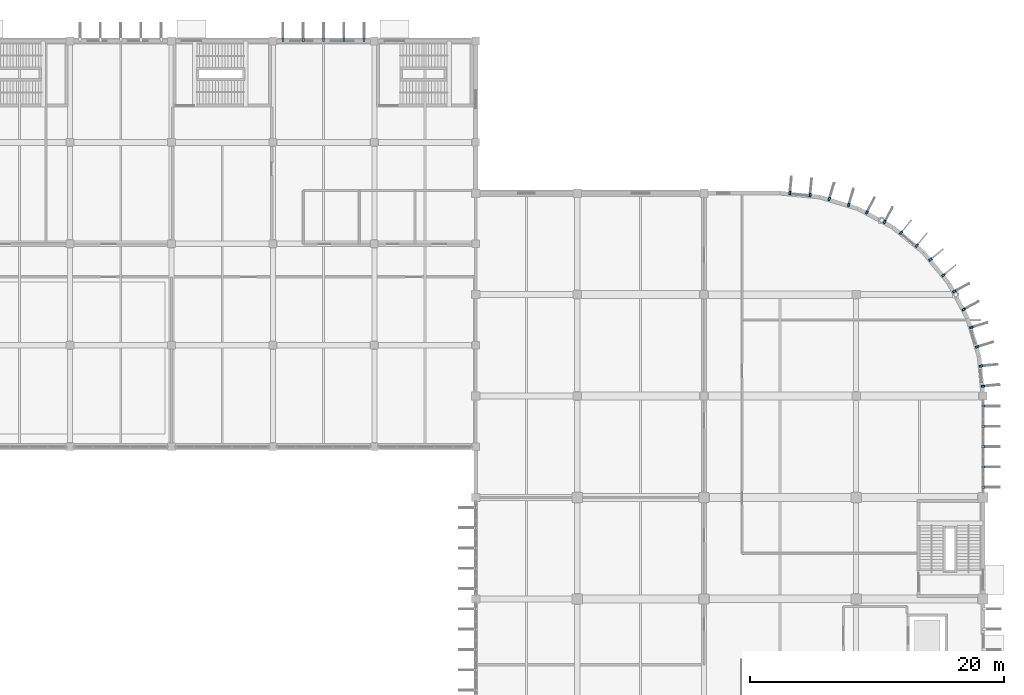
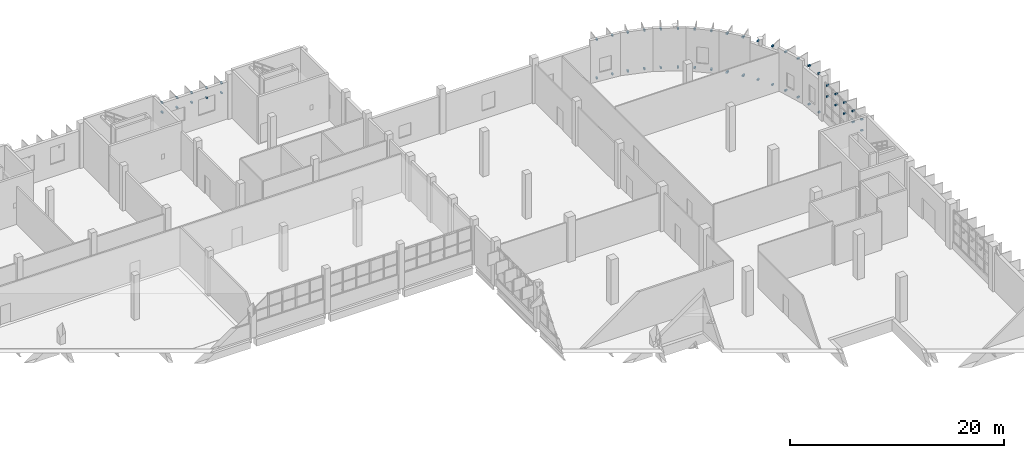
# One storey, part 93 of 103: 52 discrete accessories.
"""IFC4 building model written with IfcOpenShell, lengths in metres."""

from ifc_helpers import new_model, si_unit, direction, frame, origin, origin_2d, place, context, subcontext, project, spatial, rectangle, extrude, material, type_object, element, save


model = new_model("IFC4")

# Units and contexts
model_context = context("Model", 3, precision=1e-05, world=origin(), true_north=direction((0.0, 1.0)))
body_context = subcontext(model_context, "Body", "Model", "MODEL_VIEW")
ifc_project = project(units=[si_unit("LENGTHUNIT", "METRE"), si_unit("AREAUNIT", "SQUARE_METRE"), si_unit("VOLUMEUNIT", "CUBIC_METRE"), si_unit("PLANEANGLEUNIT", "RADIAN"), si_unit("MASSUNIT", "GRAM", prefix="KILO")], contexts=[model_context])

# Site, building, storey
site_placement = place(None, origin())
site = spatial("IfcSite", under=ifc_project, at=site_placement, CompositionType="ELEMENT")
building_placement = place(site_placement, origin())
building = spatial("IfcBuilding", under=site, at=building_placement, Name="Drelvana Railside Aquatics Centre", CompositionType="ELEMENT")
storey_placement = place(building_placement, origin())
storey = spatial("IfcBuildingStorey", under=building, at=storey_placement, Name="L00", CompositionType="ELEMENT", Elevation=0.0)

# Discrete accessories
ifc_material = material(Name="Stainless steel 316 facade bracket", Category="steel")
discrete_accessory_type = type_object("IfcDiscreteAccessoryType", Name="ACC-BRACKET-FIN", PredefinedType="BRACKET", material=ifc_material)
for number, where, z_axis, x_axis, name in (
    (1, (128.800048828125, 116.0849609375, 2.96484375), (0.0, 0.0, 1.0), (0.0, 1.0, 0.0), "Shading fin bracket BK-0985"),
    (2, (128.800048828125, 116.0849609375, 4.0751953125), (0.0, 0.0, 1.0), (0.0, 1.0, 0.0), "Shading fin bracket BK-0986"),
    (3, (130.39990234375, 116.0849609375, 2.96484375), (0.0, 0.0, 1.0), (0.0, 1.0, 0.0), "Shading fin bracket BK-0987"),
    (4, (130.39990234375, 116.0849609375, 4.0751953125), (0.0, 0.0, 1.0), (0.0, 1.0, 0.0), "Shading fin bracket BK-0988"),
    (5, (132.0, 116.0849609375, 2.96484375), (0.0, 0.0, 1.0), (0.0, 1.0, 0.0), "Shading fin bracket BK-0989"),
    (6, (132.0, 116.0849609375, 4.0751953125), (0.0, 0.0, 1.0), (0.0, 1.0, 0.0), "Shading fin bracket BK-0990"),
    (7, (133.60009765625, 116.0849609375, 2.96484375), (0.0, 0.0, 1.0), (0.0, 1.0, 0.0), "Shading fin bracket BK-0991"),
    (8, (133.60009765625, 116.0849609375, 4.0751953125), (0.0, 0.0, 1.0), (0.0, 1.0, 0.0), "Shading fin bracket BK-0992"),
    (9, (135.199951171875, 116.0849609375, 2.96484375), (0.0, 0.0, 1.0), (0.0, 1.0, 0.0), "Shading fin bracket BK-0993"),
    (10, (135.199951171875, 116.0849609375, 4.0751953125), (0.0, 0.0, 1.0), (0.0, 1.0, 0.0), "Shading fin bracket BK-0994"),
    (11, (184.010009765625, 80.800048828125, 2.96484375), (0.0, 0.0, 1.0), (1.0, 0.0, 0.0), "Shading fin bracket BK-1615"),
    (12, (184.010009765625, 80.800048828125, 4.22509765625), (0.0, 0.0, 1.0), (1.0, 0.0, 0.0), "Shading fin bracket BK-1616"),
    (13, (184.010009765625, 82.39990234375, 2.96484375), (0.0, 0.0, 1.0), (1.0, 0.0, 0.0), "Shading fin bracket BK-1617"),
    (14, (184.010009765625, 82.39990234375, 4.22509765625), (0.0, 0.0, 1.0), (1.0, 0.0, 0.0), "Shading fin bracket BK-1618"),
    (15, (184.010009765625, 84.0, 2.96484375), (0.0, 0.0, 1.0), (1.0, 0.0, 0.0), "Shading fin bracket BK-1619"),
    (16, (184.010009765625, 84.0, 4.22509765625), (0.0, 0.0, 1.0), (1.0, 0.0, 0.0), "Shading fin bracket BK-1620"),
    (17, (184.010009765625, 85.60009765625, 2.96484375), (0.0, 0.0, 1.0), (1.0, 0.0, 0.0), "Shading fin bracket BK-1621"),
    (18, (184.010009765625, 85.60009765625, 4.22509765625), (0.0, 0.0, 1.0), (1.0, 0.0, 0.0), "Shading fin bracket BK-1622"),
    (19, (184.010009765625, 87.199951171875, 2.96484375), (0.0, 0.0, 1.0), (1.0, 0.0, 0.0), "Shading fin bracket BK-1623"),
    (20, (184.010009765625, 87.199951171875, 4.22509765625), (0.0, 0.0, 1.0), (1.0, 0.0, 0.0), "Shading fin bracket BK-1624"),
    (21, (183.999267578125, 88.77197265625, 0.21484375), (0.0, 0.0, 1.0), (0.995184726672, 0.09801714033, 0.0), "Shading fin bracket BK-1751"),
    (22, (183.999267578125, 88.77197265625, 4.625), (0.0, 0.0, 1.0), (0.995184726672, 0.09801714033, 0.0), "Shading fin bracket BK-1752"),
    (23, (183.842529296875, 90.3642578125, 0.21484375), (0.0, 0.0, 1.0), (0.995184726672, 0.09801714033, 0.0), "Shading fin bracket BK-1753"),
    (24, (183.842529296875, 90.3642578125, 4.625), (0.0, 0.0, 1.0), (0.995184726672, 0.09801714033, 0.0), "Shading fin bracket BK-1754"),
    (25, (183.541259765625, 91.87841796875, 0.21484375), (0.0, 0.0, 1.0), (0.956940335732, 0.290284677254, 0.0), "Shading fin bracket BK-1759"),
    (26, (183.541259765625, 91.87841796875, 4.625), (0.0, 0.0, 1.0), (0.956940335732, 0.290284677254, 0.0), "Shading fin bracket BK-1760"),
    (27, (183.076904296875, 93.409423828125, 0.21484375), (0.0, 0.0, 1.0), (0.956940335732, 0.290284677254, 0.0), "Shading fin bracket BK-1761"),
    (28, (183.076904296875, 93.409423828125, 4.625), (0.0, 0.0, 1.0), (0.956940335732, 0.290284677254, 0.0), "Shading fin bracket BK-1762"),
    (29, (182.486083984375, 94.835693359375, 0.21484375), (0.0, 0.0, 1.0), (0.881921264348, 0.471396736826, 0.0), "Shading fin bracket BK-1767"),
    (30, (182.486083984375, 94.835693359375, 4.625), (0.0, 0.0, 1.0), (0.881921264348, 0.471396736826, 0.0), "Shading fin bracket BK-1768"),
    (31, (181.731689453125, 96.246826171875, 0.21484375), (0.0, 0.0, 1.0), (0.881921264348, 0.471396736826, 0.0), "Shading fin bracket BK-1769"),
    (32, (181.731689453125, 96.246826171875, 4.625), (0.0, 0.0, 1.0), (0.881921264348, 0.471396736826, 0.0), "Shading fin bracket BK-1770"),
    (33, (180.8740234375, 97.530517578125, 0.21484375), (0.0, 0.0, 1.0), (0.773010453363, 0.634393284164, 0.0), "Shading fin bracket BK-1775"),
    (34, (180.8740234375, 97.530517578125, 4.625), (0.0, 0.0, 1.0), (0.773010453363, 0.634393284164, 0.0), "Shading fin bracket BK-1776"),
    (35, (179.859130859375, 98.767333984375, 0.21484375), (0.0, 0.0, 1.0), (0.773010453363, 0.634393284164, 0.0), "Shading fin bracket BK-1777"),
    (36, (179.859130859375, 98.767333984375, 4.625), (0.0, 0.0, 1.0), (0.773010453363, 0.634393284164, 0.0), "Shading fin bracket BK-1778"),
    (37, (178.767333984375, 99.859130859375, 0.21484375), (0.0, 0.0, 1.0), (0.634393284164, 0.773010453363, 0.0), "Shading fin bracket BK-1783"),
    (38, (178.767333984375, 99.859130859375, 4.625), (0.0, 0.0, 1.0), (0.634393284164, 0.773010453363, 0.0), "Shading fin bracket BK-1784"),
    (39, (177.530517578125, 100.8740234375, 0.21484375), (0.0, 0.0, 1.0), (0.634393284164, 0.773010453363, 0.0), "Shading fin bracket BK-1785"),
    (40, (177.530517578125, 100.8740234375, 4.625), (0.0, 0.0, 1.0), (0.634393284164, 0.773010453363, 0.0), "Shading fin bracket BK-1786"),
    (41, (176.246826171875, 101.731689453125, 0.21484375), (0.0, 0.0, 1.0), (0.471396736826, 0.881921264348, 0.0), "Shading fin bracket BK-1791"),
    (42, (176.246826171875, 101.731689453125, 4.625), (0.0, 0.0, 1.0), (0.471396736826, 0.881921264348, 0.0), "Shading fin bracket BK-1792"),
    (43, (174.835693359375, 102.486083984375, 0.21484375), (0.0, 0.0, 1.0), (0.471396736826, 0.881921264348, 0.0), "Shading fin bracket BK-1793"),
    (44, (174.835693359375, 102.486083984375, 4.625), (0.0, 0.0, 1.0), (0.471396736826, 0.881921264348, 0.0), "Shading fin bracket BK-1794"),
    (45, (173.409423828125, 103.076904296875, 0.21484375), (0.0, 0.0, 1.0), (0.290284677254, 0.956940335732, 0.0), "Shading fin bracket BK-1799"),
    (46, (173.409423828125, 103.076904296875, 4.625), (0.0, 0.0, 1.0), (0.290284677254, 0.956940335732, 0.0), "Shading fin bracket BK-1800"),
    (47, (171.87841796875, 103.541259765625, 0.21484375), (0.0, 0.0, 1.0), (0.290284677254, 0.956940335732, 0.0), "Shading fin bracket BK-1801"),
    (48, (171.87841796875, 103.541259765625, 4.625), (0.0, 0.0, 1.0), (0.290284677254, 0.956940335732, 0.0), "Shading fin bracket BK-1802"),
    (49, (170.3642578125, 103.842529296875, 0.21484375), (0.0, 0.0, 1.0), (0.09801714033, 0.995184726672, 0.0), "Shading fin bracket BK-1807"),
    (50, (170.3642578125, 103.842529296875, 4.625), (0.0, 0.0, 1.0), (0.09801714033, 0.995184726672, 0.0), "Shading fin bracket BK-1808"),
    (51, (168.77197265625, 103.999267578125, 0.21484375), (0.0, 0.0, 1.0), (0.09801714033, 0.995184726672, 0.0), "Shading fin bracket BK-1809"),
    (52, (168.77197265625, 103.999267578125, 4.625), (0.0, 0.0, 1.0), (0.09801714033, 0.995184726672, 0.0), "Shading fin bracket BK-1810"),
):
    element("IfcDiscreteAccessory", number, at=place(storey_placement, frame(where, z_axis=z_axis, x_axis=x_axis)), inside=storey, type_object=discrete_accessory_type, Name=name, PredefinedType="BRACKET", context=body_context, shape_type="SweptSolid", body=[
        extrude(rectangle(XDim=0.280029296875, YDim=0.159912109375, at=origin_2d()), origin(), (0.0, 0.0, 1.0), 0.159912109375),
    ])

save(model, "model.ifc")
